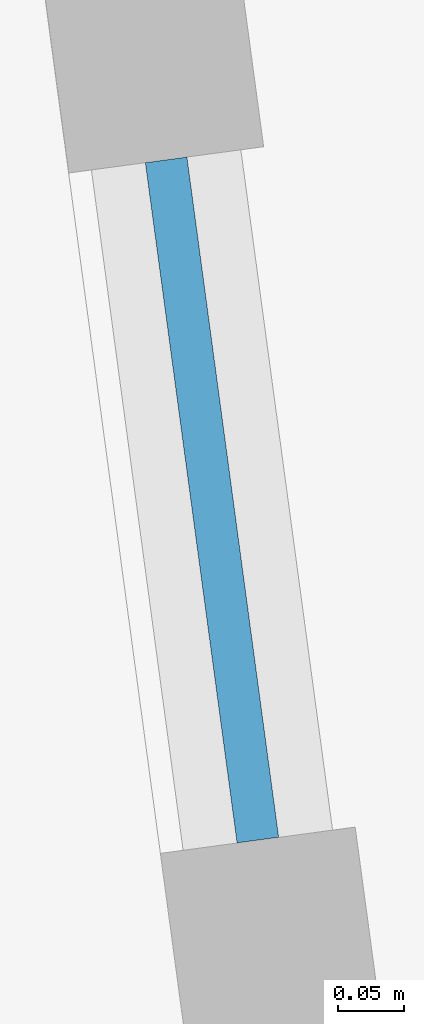
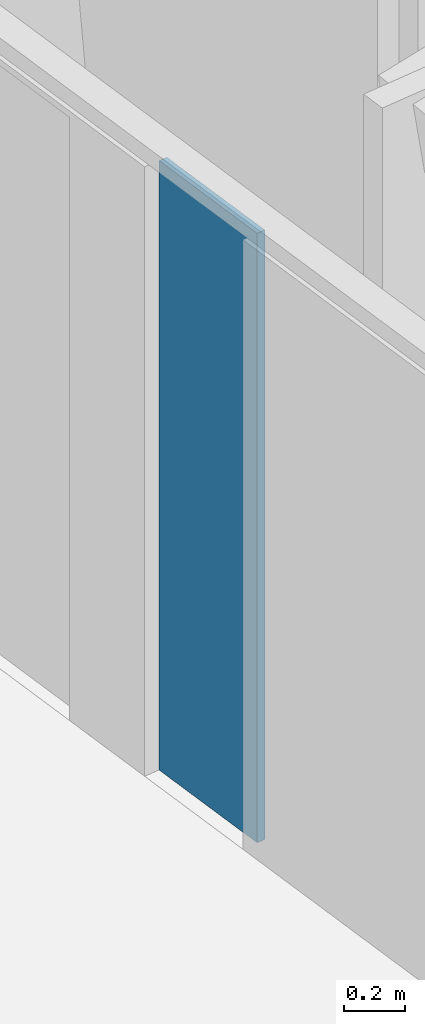
# One storey, part 15 of 27: 1 plate, 1 element without a shape of its own.
"""IFC4 building model written with IfcOpenShell, lengths in metres."""

from ifc_helpers import new_model, si_unit, direction, frame, origin, origin_2d, place, context, subcontext, project, spatial, rectangle, extrude, material, layer, layer_set, type_object, element, aggregate, save


model = new_model("IFC4")

# Units and contexts
model_context = context("Model", 3, precision=1e-05, world=origin(), true_north=direction((0.0, 1.0)))
body_context = subcontext(model_context, "Body", "Model", "MODEL_VIEW")
ifc_project = project(units=[si_unit("LENGTHUNIT", "METRE"), si_unit("AREAUNIT", "SQUARE_METRE"), si_unit("VOLUMEUNIT", "CUBIC_METRE"), si_unit("PLANEANGLEUNIT", "RADIAN"), si_unit("MASSUNIT", "GRAM", prefix="KILO")], contexts=[model_context])

# Site, building, storey
site_placement = place(None, origin())
site = spatial("IfcSite", under=ifc_project, at=site_placement, CompositionType="ELEMENT")
building_placement = place(site_placement, origin())
building = spatial("IfcBuilding", under=site, at=building_placement, Name="Verdalira Terraces Hotel", CompositionType="ELEMENT")
storey_placement = place(building_placement, frame((0.0, 0.0, 64.5)))
storey = spatial("IfcBuildingStorey", under=building, at=storey_placement, Name="L14", CompositionType="ELEMENT", Elevation=64.5)

# Curtain wall, plate
ifc_material_1 = material(Name="Clear glass", Category="glass")
ifc_layer_1 = layer(ifc_material_1, 0.14990234375)
ifc_layer_set_1 = layer_set([ifc_layer_1], Name="CW2 curtain wall")
curtain_wall_type = type_object("IfcCurtainWallType", Name="CW2 curtain wall", PredefinedType="NOTDEFINED", material=ifc_layer_set_1)
curtain_wall_placement = place(storey_placement, origin())
curtain_wall = element("IfcCurtainWall", 1, at=curtain_wall_placement, inside=storey, type_object=curtain_wall_type, Name="CW2 curtain wall L14 edge 10", PredefinedType="NOTDEFINED")
ifc_material_2 = material(Name="Clear glass", Category="glass")
ifc_layer_2 = layer(ifc_material_2, 0.031982421875)
ifc_layer_set_2 = layer_set([ifc_layer_2], Name="CW2 glass unit 32")
plate_type = type_object("IfcPlateType", Name="CW2 glass unit 32", PredefinedType="CURTAIN_PANEL", material=ifc_layer_set_2)
plate_placement = place(storey_placement, frame((-11.102783, 34.257568, 0.0), z_axis=(0.0, 0.0, 1.0), x_axis=(0.133640259, -0.991029909, 0.0)))
plate = element("IfcPlate", 2, at=plate_placement, type_object=plate_type, Name="CW2 glass unit", PredefinedType="CURTAIN_PANEL", context=body_context, shape_type="SweptSolid", body=[
    extrude(rectangle(XDim=0.523438, YDim=0.031982, at=origin_2d()), origin(), (0.0, 0.0, 1.0), 2.425049),
])
aggregate(curtain_wall, [plate])

save(model, "model.ifc")
